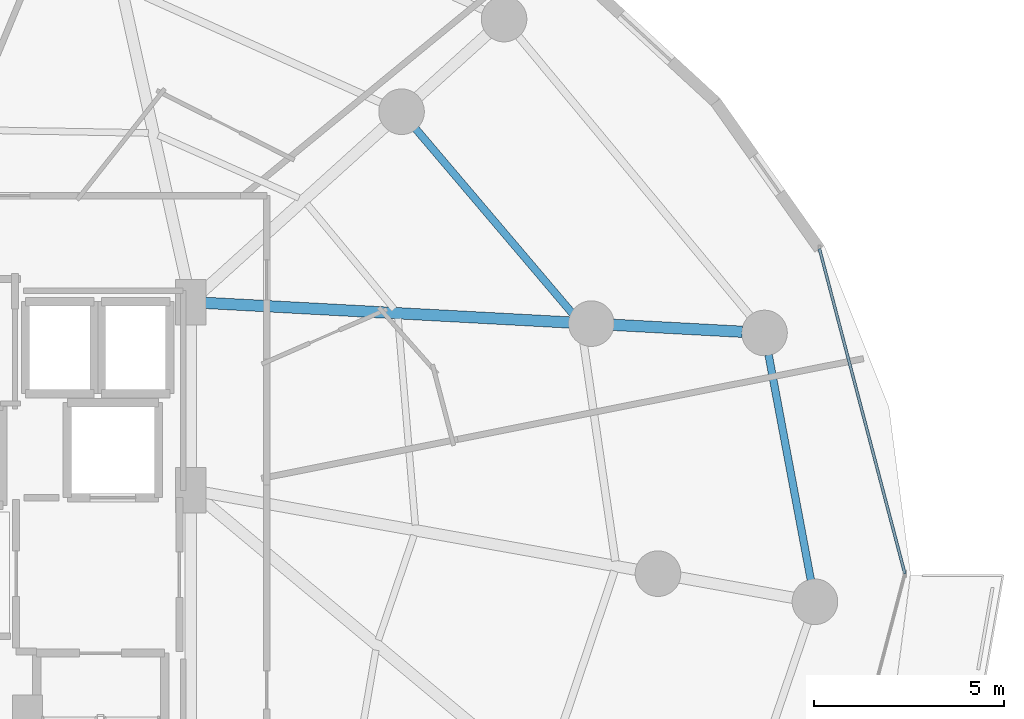
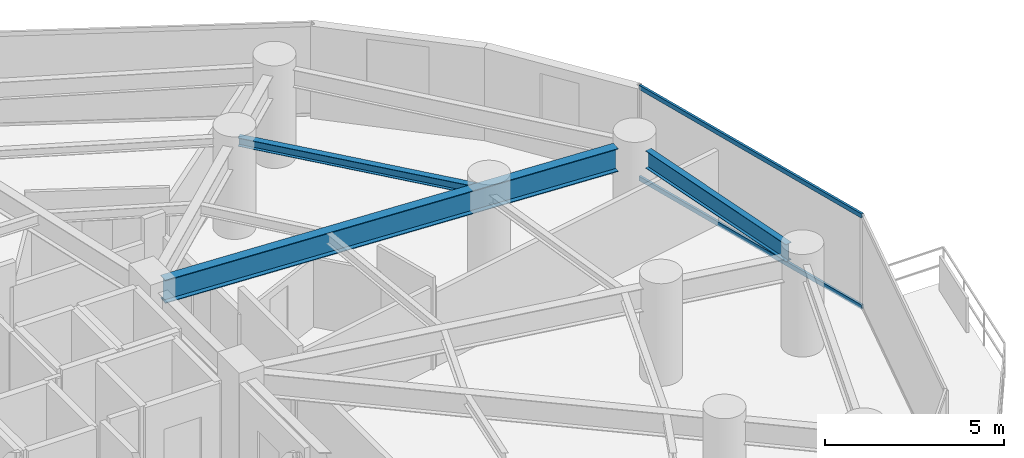
# One storey, part 17 of 34: 3 beams, 2 members, 1 element without a shape of its own.
"""IFC4 building model written with IfcOpenShell, lengths in metres."""

from ifc_helpers import new_model, si_unit, direction, frame, origin, origin_2d, place, context, subcontext, project, spatial, hollow_rectangle, i_section, extrude, material, material_profile, profile_set, type_object, element, aggregate, save


model = new_model("IFC4")

# Units and contexts
model_context = context("Model", 3, precision=1e-05, world=origin(), true_north=direction((0.0, 1.0)))
body_context = subcontext(model_context, "Body", "Model", "MODEL_VIEW")
ifc_project = project(units=[si_unit("LENGTHUNIT", "METRE"), si_unit("AREAUNIT", "SQUARE_METRE"), si_unit("VOLUMEUNIT", "CUBIC_METRE"), si_unit("PLANEANGLEUNIT", "RADIAN"), si_unit("MASSUNIT", "GRAM", prefix="KILO")], contexts=[model_context])

# Site, building, storey
site_placement = place(None, origin())
site = spatial("IfcSite", under=ifc_project, at=site_placement, CompositionType="ELEMENT")
building_placement = place(site_placement, origin())
building = spatial("IfcBuilding", under=site, at=building_placement, Name="Vorneva Point Tower", CompositionType="ELEMENT")
storey_placement = place(building_placement, frame((0.0, 0.0, 66.0)))
storey = spatial("IfcBuildingStorey", under=building, at=storey_placement, Name="L17", CompositionType="ELEMENT", Elevation=66.0)

# Beams
ifc_material_1 = material(Name="Steel S355", Category="steel")
ifc_material_profile_1 = material_profile(ifc_material_1, i_section(OverallWidth=0.300048828125, OverallDepth=0.7880859375, WebThickness=0.014404296875, FlangeThickness=0.02197265625, at=origin_2d()), Name="80Sh1")
ifc_profile_set_1 = profile_set([ifc_material_profile_1], Name="Steel S355")
beam_type_1 = type_object("IfcBeamType", Name="BM-GRD-80Sh1", PredefinedType="USERDEFINED", material=ifc_profile_set_1)
beam_1_placement = place(storey_placement, frame((63.267333984375, 32.368408203125, 2.756103515625), z_axis=(-0.998554321193, 0.053751908115, 0.0), x_axis=(-0.053751908115, -0.998554321193, 0.0)))
element("IfcBeam", 1, at=beam_1_placement, inside=storey, type_object=beam_type_1, Name="L17 Radial Primary Girder 02", ObjectType="GIRDER", PredefinedType="USERDEFINED", context=body_context, shape_type="SweptSolid", body=[
    extrude(i_section(OverallWidth=0.300048828125, OverallDepth=0.7880859375, WebThickness=0.014404296875, FlangeThickness=0.02197265625, at=origin_2d()), origin(), (0.0, 0.0, 1.0), 14.1982421875),
])
ifc_material_profile_2 = material_profile(ifc_material_1, i_section(OverallWidth=0.199951171875, OverallDepth=0.291015625, WebThickness=0.008056640625, FlangeThickness=0.010986328125, at=origin_2d()), Name="30Sh1")
ifc_profile_set_2 = profile_set([ifc_material_profile_2], Name="Steel S355")
beam_type_2 = type_object("IfcBeamType", Name="BM-SEC-30Sh1", PredefinedType="BEAM", material=ifc_profile_set_2)
beam_2_placement = place(storey_placement, frame((58.9248046875, 32.702392578125, 3.00439453125), z_axis=(-0.647202977848, 0.7623177195, 0.0), x_axis=(-0.7623177195, -0.647202977848, 0.0)))
element("IfcBeam", 2, at=beam_2_placement, inside=storey, type_object=beam_type_2, Name="L17 Secondary Floor Beam 1.02", PredefinedType="BEAM", context=body_context, shape_type="SweptSolid", body=[
    extrude(i_section(OverallWidth=0.199951171875, OverallDepth=0.291015625, WebThickness=0.008056640625, FlangeThickness=0.010986328125, at=origin_2d()), origin(), (0.0, 0.0, 1.0), 7.017822265625),
])
ifc_material_profile_3 = material_profile(ifc_material_1, i_section(OverallWidth=0.198974609375, OverallDepth=0.595947265625, WebThickness=0.010009765625, FlangeThickness=0.014892578125, at=origin_2d()), Name="60B1")
ifc_profile_set_3 = profile_set([ifc_material_profile_3], Name="Steel S355")
beam_type_3 = type_object("IfcBeamType", Name="BM-SPN-60B1", PredefinedType="SPANDREL", material=ifc_profile_set_3)
beam_3_placement = place(storey_placement, frame((65.07421875, 25.8359375, 2.85205078125), z_axis=(-0.184405887522, 0.982850176094, 0.0), x_axis=(-0.982850176094, -0.184405887522, 0.0)))
element("IfcBeam", 3, at=beam_3_placement, inside=storey, type_object=beam_type_3, Name="L17 Perimeter Spandrel Ring Beam 01", PredefinedType="SPANDREL", context=body_context, shape_type="SweptSolid", body=[
    extrude(i_section(OverallWidth=0.198974609375, OverallDepth=0.595947265625, WebThickness=0.010009765625, FlangeThickness=0.014892578125, at=origin_2d()), origin(), (0.0, 0.0, 1.0), 6.029296875),
])

# Curtain wall, members
ifc_material_2 = material(Name="Pale anodised aluminium", Category="aluminium")
curtain_wall_type = type_object("IfcCurtainWallType", Name="CW-HTL-SYS", PredefinedType="NOTDEFINED", material=ifc_material_2)
curtain_wall_placement = place(storey_placement, origin())
curtain_wall = element("IfcCurtainWall", 4, at=curtain_wall_placement, inside=storey, type_object=curtain_wall_type, Name="L17 Unitised Curtain Wall CW-L17-R01", PredefinedType="NOTDEFINED")
ifc_material_profile_4 = material_profile(ifc_material_2, hollow_rectangle(XDim=0.074951171875, YDim=0.14990234375, WallThickness=0.00390625, at=origin_2d()), Name="AL-TRN 150x75x4")
ifc_profile_set_4 = profile_set([ifc_material_profile_4], Name="Pale anodised aluminium")
member_type = type_object("IfcMemberType", Name="CW-TRN-150", PredefinedType="USERDEFINED", material=ifc_profile_set_4)
member_1_placement = place(storey_placement, frame((67.550048828125, 26.0, 0.02001953125), z_axis=(-0.254358772746, 0.967109928978, 0.0), x_axis=(-0.967109928978, -0.254358772746, 0.0)))
member_1 = element("IfcMember", 5, at=member_1_placement, type_object=member_type, Name="CW-L17-R01 Transom 03.1", ObjectType="TRANSOM", PredefinedType="USERDEFINED", context=body_context, shape_type="SweptSolid", body=[
    extrude(hollow_rectangle(XDim=0.074951171875, YDim=0.14990234375, WallThickness=0.00390625, at=origin_2d()), origin(), (0.0, 0.0, 1.0), 8.84375),
])
member_2_placement = place(storey_placement, frame((67.550048828125, 26.0, 3.1298828125), z_axis=(-0.254358772746, 0.967109928978, 0.0), x_axis=(-0.967109928978, -0.254358772746, 0.0)))
member_2 = element("IfcMember", 6, at=member_2_placement, type_object=member_type, Name="CW-L17-R01 Transom 03.2", ObjectType="TRANSOM", PredefinedType="USERDEFINED", context=body_context, shape_type="SweptSolid", body=[
    extrude(hollow_rectangle(XDim=0.074951171875, YDim=0.14990234375, WallThickness=0.00390625, at=origin_2d()), origin(), (0.0, 0.0, 1.0), 8.84375),
])
aggregate(curtain_wall, [member_1, member_2])

save(model, "model.ifc")
